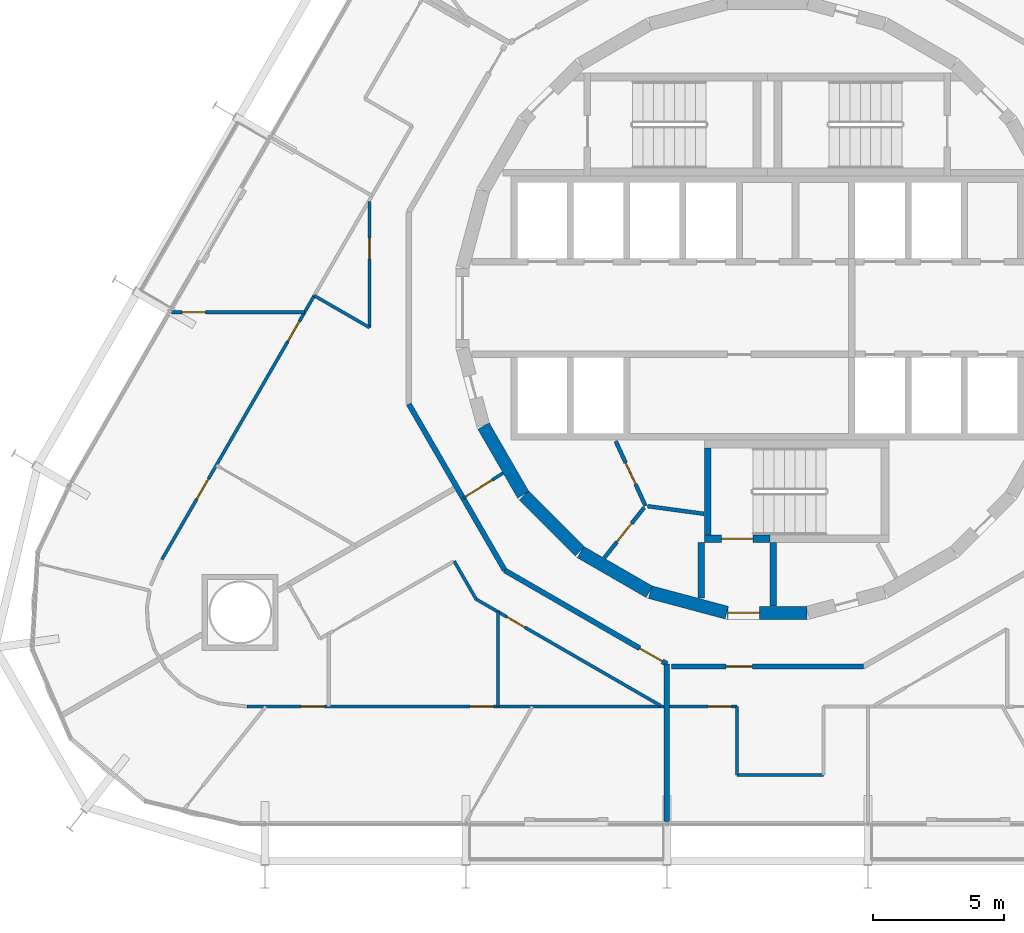
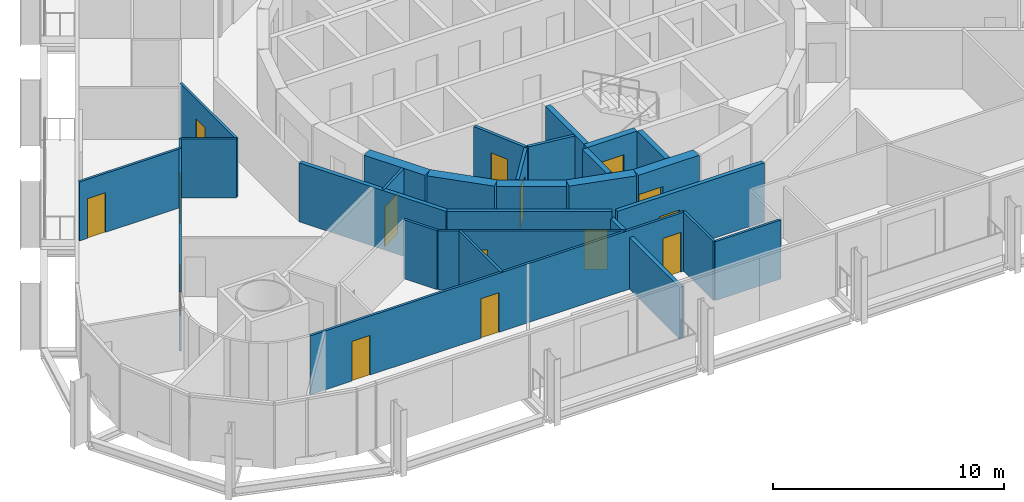
# One storey, part 13 of 19: 27 walls, 15 doors, 15 openings.
"""IFC4 building model written with IfcOpenShell, lengths in metres."""

from ifc_helpers import new_model, si_unit, direction, frame, frame_2d, origin, place, context, subcontext, project, spatial, rectangle, extrude, material, layer, layer_set, type_object, element, fill, save


model = new_model("IFC4")

# Units and contexts
model_context = context("Model", 3, precision=1e-05, world=origin(), true_north=direction((0.0, 1.0)))
body_context = subcontext(model_context, "Body", "Model", "MODEL_VIEW")
ifc_project = project(units=[si_unit("LENGTHUNIT", "METRE"), si_unit("AREAUNIT", "SQUARE_METRE"), si_unit("VOLUMEUNIT", "CUBIC_METRE"), si_unit("PLANEANGLEUNIT", "RADIAN"), si_unit("MASSUNIT", "GRAM", prefix="KILO")], contexts=[model_context])

# Site, building, storey
site_placement = place(None, origin())
site = spatial("IfcSite", under=ifc_project, at=site_placement, CompositionType="ELEMENT")
building_placement = place(site_placement, origin())
building = spatial("IfcBuilding", under=site, at=building_placement, Name="Spindle Arch Residences", CompositionType="ELEMENT")
storey_placement = place(building_placement, frame((0.0, 0.0, 45.39990234375)))
storey = spatial("IfcBuildingStorey", under=building, at=storey_placement, Name="L09", CompositionType="ELEMENT", Elevation=45.39990234375)

# Walls
ifc_material_1 = material(Name="Concrete C50/60", Category="concrete")
ifc_layer_1 = layer(ifc_material_1, 0.5)
ifc_layer_set_1 = layer_set([ifc_layer_1], Name="Core outline wall 500")
wall_type_1 = type_object("IfcWallType", Name="Core outline wall 500", PredefinedType="SHEAR", material=ifc_layer_set_1)
wall_1_placement = place(storey_placement, frame((-10.84521484375, -4.510498046875, 0.0), z_axis=(0.0, 0.0, 1.0), x_axis=(0.500087131594, -0.865975092491, 0.0)))
element("IfcWall", 1, at=wall_1_placement, inside=storey, type_object=wall_type_1, Name="Core outline wall 20", PredefinedType="SHEAR", context=body_context, shape_type="SweptSolid", body=[
    extrude(rectangle(XDim=3.03271484375, YDim=0.5, at=frame_2d((1.516357421875, 0.0))), origin(), (0.0, 0.0, 1.0), 3.1201171875),
])
wall_2_placement = place(storey_placement, frame((-9.30810546875, -7.163818359375, 0.0), z_axis=(0.0, 0.0, 1.0), x_axis=(0.707106781187, -0.707106781187, 0.0)))
element("IfcWall", 2, at=wall_2_placement, inside=storey, type_object=wall_type_1, Name="Core outline wall 21", PredefinedType="SHEAR", context=body_context, shape_type="SweptSolid", body=[
    extrude(rectangle(XDim=3.032470703125, YDim=0.5, at=frame_2d((1.51611328125, 0.0))), origin(), (0.0, 0.0, 1.0), 3.1201171875),
])
for number, where, z_axis, x_axis, name in (
    (3, (-7.13671875, -9.32861328125, 0.0), (0.0, 0.0, 1.0), (0.865975092491, -0.500087131594, 0.0), "Core outline wall 22"),
    (4, (-4.479248046875, -10.858154296875, 0.0), (0.0, 0.0, 1.0), (0.965948410781, -0.258734743916, 0.0), "Core outline wall 23"),
):
    element("IfcWall", number, at=place(storey_placement, frame(where, z_axis=z_axis, x_axis=x_axis)), inside=storey, type_object=wall_type_1, Name=name, PredefinedType="SHEAR", context=body_context, shape_type="SweptSolid", body=[
        extrude(rectangle(XDim=3.03271484375, YDim=0.5, at=frame_2d((1.516357421875, 0.0))), origin(), (0.0, 0.0, 1.0), 3.1201171875),
    ])

# Wall, opening, door
wall_3_placement = place(storey_placement, frame((-1.516357421875, -11.647216796875, 0.0), z_axis=(0.0, 0.0, 1.0), x_axis=(1.0, 0.0, 0.0)))
wall_3 = element("IfcWall", 5, at=wall_3_placement, inside=storey, type_object=wall_type_1, Name="Core outline wall 24", PredefinedType="SHEAR", context=body_context, shape_type="SweptSolid", body=[
    extrude(rectangle(XDim=3.03271484375, YDim=0.5, at=frame_2d((1.516357421875, 0.0))), origin(), (0.0, 0.0, 1.0), 3.1201171875),
])
opening_1_placement = place(wall_3_placement, frame((0.016357421875, 0.0, 0.0)))
opening_1 = element("IfcOpeningElement", 6, at=opening_1_placement, cuts=wall_3, Name="Opening R1A0-AD03", PredefinedType="OPENING", context=body_context, shape_type="SweptSolid", body=[
    extrude(rectangle(XDim=1.199951171875, YDim=2.10009765625, at=frame_2d((0.60009765625, 1.050048828125))), frame((0.0, 0.260009765625, 0.0), z_axis=(0.0, -1.0, 0.0), x_axis=(1.0, 0.0, 0.0)), (0.0, 0.0, 1.0), 0.52001953125),
])
ifc_material_2 = material(Name="Steel, fire-resisting door", Category="steel")
door_type_1 = type_object("IfcDoorType", Name="Stair airlock door 1200x2100", OperationType="SINGLE_SWING_LEFT", PredefinedType="DOOR", material=ifc_material_2)
door_1_placement = place(opening_1_placement, origin())
door_1 = element("IfcDoor", 7, at=door_1_placement, inside=storey, type_object=door_type_1, Name="Stair airlock door R1A0-AD03", OperationType="SINGLE_SWING_RIGHT", OverallHeight=2.10009765625, OverallWidth=1.199951171875, PredefinedType="DOOR", context=body_context, shape_type="SweptSolid", body=[
    extrude(rectangle(XDim=1.199951171875, YDim=2.10009765625, at=frame_2d((0.60009765625, 1.050048828125))), frame((0.0, 0.02490234375, 0.0), z_axis=(0.0, -1.0, 0.0), x_axis=(1.0, 0.0, 0.0)), (0.0, 0.0, 1.0), 0.050048828125),
])
fill(opening_1, door_1)

ifc_material_3 = material(Name="Plasterboard on steel studs", Category="steel")
ifc_layer_2 = layer(ifc_material_3, 0.1201171875)
ifc_layer_set_2 = layer_set([ifc_layer_2], Name="Corridor division wall 120")
wall_type_2 = type_object("IfcWallType", Name="Corridor division wall 120", PredefinedType="PARTITIONING", material=ifc_layer_set_2)
wall_4_placement = place(storey_placement, frame((-11.625244140625, -7.264404296875, 0.0), z_axis=(0.0, 0.0, 1.0), x_axis=(0.84803632456, 0.529938102259, 0.0)))
wall_4 = element("IfcWall", 8, at=wall_4_placement, inside=storey, type_object=wall_type_2, Name="Corridor division wall R1A0-W003", PredefinedType="PARTITIONING", context=body_context, shape_type="SweptSolid", body=[
    extrude(rectangle(XDim=1.8037109375, YDim=0.1201171875, at=frame_2d((0.90185546875, 0.0))), origin(), (0.0, 0.0, 1.0), 3.1201171875),
])
opening_2_placement = place(wall_4_placement, frame((0.110107421875, 0.0, 0.0)))
opening_2 = element("IfcOpeningElement", 9, at=opening_2_placement, cuts=wall_4, Name="Opening R1A0-CD03", PredefinedType="OPENING", context=body_context, shape_type="SweptSolid", body=[
    extrude(rectangle(XDim=1.199951171875, YDim=2.10009765625, at=frame_2d((0.60009765625, 1.050048828125))), frame((0.0, 0.070068359375, 0.0), z_axis=(0.0, -1.0, 0.0), x_axis=(1.0, 0.0, 0.0)), (0.0, 0.0, 1.0), 0.14013671875),
])
ifc_material_4 = material(Name="Steel, fire-resisting door", Category="steel")
door_type_2 = type_object("IfcDoorType", Name="Corridor division door 1200x2100", OperationType="NOTDEFINED", PredefinedType="DOOR", material=ifc_material_4)
door_2_placement = place(opening_2_placement, origin())
door_2 = element("IfcDoor", 10, at=door_2_placement, inside=storey, type_object=door_type_2, Name="Corridor division door R1A0-CD03", OperationType="DOUBLE_DOOR_SINGLE_SWING", OverallHeight=2.10009765625, OverallWidth=1.199951171875, PredefinedType="DOOR", context=body_context, shape_type="SweptSolid", body=[
    extrude(rectangle(XDim=1.199951171875, YDim=2.10009765625, at=frame_2d((0.60009765625, 1.050048828125))), frame((0.0, 0.02490234375, 0.0), z_axis=(0.0, -1.0, 0.0), x_axis=(1.0, 0.0, 0.0)), (0.0, 0.0, 1.0), 0.050048828125),
])
fill(opening_2, door_2)

# Wall
ifc_material_5 = material(Name="Calcium silicate block, plastered")
ifc_layer_3 = layer(ifc_material_5, 0.199951171875)
ifc_layer_set_3 = layer_set([ifc_layer_3], Name="Corridor wall 200")
wall_type_3 = type_object("IfcWallType", Name="Corridor wall 200", PredefinedType="STANDARD", material=ifc_layer_set_3)
wall_5_placement = place(storey_placement, frame((-13.699951171875, -3.6708984375, 0.0), z_axis=(0.0, 0.0, 1.0), x_axis=(0.500001669485, -0.866024439905, 0.0)))
element("IfcWall", 11, at=wall_5_placement, inside=storey, type_object=wall_type_3, Name="Corridor wall R1A0-W012", PredefinedType="STANDARD", context=body_context, shape_type="SweptSolid", body=[
    extrude(rectangle(XDim=7.341796875, YDim=0.199951171875, at=frame_2d((3.6708984375, 0.0))), origin(), (0.0, 0.0, 1.0), 3.1201171875),
])

# Wall, opening, door
wall_6_placement = place(storey_placement, frame((-10.029052734375, -10.029052734375, 0.0), z_axis=(0.0, 0.0, 1.0), x_axis=(0.866022878987, -0.500004373052, 0.0)))
wall_6 = element("IfcWall", 12, at=wall_6_placement, inside=storey, type_object=wall_type_3, Name="Corridor wall R1A0-W013", PredefinedType="STANDARD", context=body_context, shape_type="SweptSolid", body=[
    extrude(rectangle(XDim=7.146484375, YDim=0.199951171875, at=frame_2d((3.5732421875, 0.0))), origin(), (0.0, 0.0, 1.0), 3.1201171875),
])
opening_3_placement = place(wall_6_placement, frame((5.946533203125, 0.0, 0.0)))
opening_3 = element("IfcOpeningElement", 13, at=opening_3_placement, cuts=wall_6, Name="Opening R1A0-FD04", PredefinedType="OPENING", context=body_context, shape_type="SweptSolid", body=[
    extrude(rectangle(XDim=1.0, YDim=2.10009765625, at=frame_2d((0.5, 1.050048828125))), frame((0.0, 0.10986328125, 0.0), z_axis=(0.0, -1.0, 0.0), x_axis=(1.0, 0.0, 0.0)), (0.0, 0.0, 1.0), 0.219970703125),
])
ifc_material_6 = material(Name="Timber, fire-resisting door set", Category="wood")
door_type_3 = type_object("IfcDoorType", Name="Flat entrance door 1000x2100", OperationType="NOTDEFINED", PredefinedType="DOOR", material=ifc_material_6)
door_3_placement = place(opening_3_placement, origin())
door_3 = element("IfcDoor", 14, at=door_3_placement, inside=storey, type_object=door_type_3, Name="Flat entrance door R1A0-FD04", OperationType="SINGLE_SWING_LEFT", OverallHeight=2.10009765625, OverallWidth=1.0, PredefinedType="DOOR", context=body_context, shape_type="SweptSolid", body=[
    extrude(rectangle(XDim=1.0, YDim=2.10009765625, at=frame_2d((0.5, 1.050048828125))), frame((0.0, 0.02490234375, 0.0), z_axis=(0.0, -1.0, 0.0), x_axis=(1.0, 0.0, 0.0)), (0.0, 0.0, 1.0), 0.050048828125),
])
fill(opening_3, door_3)

wall_7_placement = place(storey_placement, frame((-3.6708984375, -13.699951171875, 0.0), z_axis=(0.0, 0.0, 1.0), x_axis=(1.0, 0.0, 0.0)))
wall_7 = element("IfcWall", 15, at=wall_7_placement, inside=storey, type_object=wall_type_3, Name="Corridor wall R1A0-W014", PredefinedType="STANDARD", context=body_context, shape_type="SweptSolid", body=[
    extrude(rectangle(XDim=7.341796875, YDim=0.199951171875, at=frame_2d((3.6708984375, 0.0))), origin(), (0.0, 0.0, 1.0), 3.1201171875),
])
opening_4_placement = place(wall_7_placement, frame((2.10009765625, 0.0, 0.0)))
opening_4 = element("IfcOpeningElement", 16, at=opening_4_placement, cuts=wall_7, Name="Opening R1A0-FD05", PredefinedType="OPENING", context=body_context, shape_type="SweptSolid", body=[
    extrude(rectangle(XDim=1.0, YDim=2.10009765625, at=frame_2d((0.5, 1.050048828125))), frame((0.0, 0.10986328125, 0.0), z_axis=(0.0, -1.0, 0.0), x_axis=(1.0, 0.0, 0.0)), (0.0, 0.0, 1.0), 0.219970703125),
])
door_4_placement = place(opening_4_placement, origin())
door_4 = element("IfcDoor", 17, at=door_4_placement, inside=storey, type_object=door_type_3, Name="Flat entrance door R1A0-FD05", OperationType="SINGLE_SWING_LEFT", OverallHeight=2.10009765625, OverallWidth=1.0, PredefinedType="DOOR", context=body_context, shape_type="SweptSolid", body=[
    extrude(rectangle(XDim=1.0, YDim=2.10009765625, at=frame_2d((0.5, 1.050048828125))), frame((0.0, 0.02490234375, 0.0), z_axis=(0.0, -1.0, 0.0), x_axis=(1.0, 0.0, 0.0)), (0.0, 0.0, 1.0), 0.050048828125),
])
fill(opening_4, door_4)

# Wall, openings, doors
ifc_material_7 = material(Name="Plasterboard on steel studs", Category="steel")
ifc_layer_4 = layer(ifc_material_7, 0.1201171875)
ifc_layer_set_4 = layer_set([ifc_layer_4], Name="Flat partition 120")
wall_type_4 = type_object("IfcWallType", Name="Flat partition 120", PredefinedType="PARTITIONING", material=ifc_layer_set_4)
wall_8_placement = place(storey_placement, frame((-17.3134765625, 0.471923828125, 0.0), z_axis=(0.0, 0.0, 1.0), x_axis=(-0.499999047218, -0.866025953873, 0.0)))
wall_8 = element("IfcWall", 18, at=wall_8_placement, inside=storey, type_object=wall_type_4, Name="Flat partition R1A0-W060", PredefinedType="PARTITIONING", context=body_context, shape_type="SweptSolid", body=[
    extrude(rectangle(XDim=11.63916015625, YDim=0.1201171875, at=frame_2d((5.819580078125, 0.0))), origin(), (0.0, 0.0, 1.0), 3.1201171875),
])
opening_5_placement = place(wall_8_placement, frame((1.131591796875, 0.0, 0.0)))
opening_5 = element("IfcOpeningElement", 19, at=opening_5_placement, cuts=wall_8, Name="Opening R1A0-ID13", PredefinedType="OPENING", context=body_context, shape_type="SweptSolid", body=[
    extrude(rectangle(XDim=0.89990234375, YDim=2.10009765625, at=frame_2d((0.449951171875, 1.050048828125))), frame((0.0, 0.070068359375, 0.0), z_axis=(0.0, -1.0, 0.0), x_axis=(1.0, 0.0, 0.0)), (0.0, 0.0, 1.0), 0.14013671875),
])
opening_6_placement = place(wall_8_placement, frame((8.0830078125, 0.0, 0.0)))
opening_6 = element("IfcOpeningElement", 20, at=opening_6_placement, cuts=wall_8, Name="Opening R1A0-ID17", PredefinedType="OPENING", context=body_context, shape_type="SweptSolid", body=[
    extrude(rectangle(XDim=0.89990234375, YDim=2.10009765625, at=frame_2d((0.449951171875, 1.050048828125))), frame((0.0, 0.070068359375, 0.0), z_axis=(0.0, -1.0, 0.0), x_axis=(1.0, 0.0, 0.0)), (0.0, 0.0, 1.0), 0.14013671875),
])
ifc_material_8 = material(Name="Timber door set", Category="wood")
door_type_4 = type_object("IfcDoorType", Name="Room door 900x2100", OperationType="NOTDEFINED", PredefinedType="DOOR", material=ifc_material_8)
door_5_placement = place(opening_5_placement, origin())
door_5 = element("IfcDoor", 21, at=door_5_placement, inside=storey, type_object=door_type_4, Name="Room door R1A0-ID13", OperationType="SINGLE_SWING_RIGHT", OverallHeight=2.10009765625, OverallWidth=0.89990234375, PredefinedType="DOOR", context=body_context, shape_type="SweptSolid", body=[
    extrude(rectangle(XDim=0.89990234375, YDim=2.10009765625, at=frame_2d((0.449951171875, 1.050048828125))), frame((0.0, 0.02490234375, 0.0), z_axis=(0.0, -1.0, 0.0), x_axis=(1.0, 0.0, 0.0)), (0.0, 0.0, 1.0), 0.050048828125),
])
fill(opening_5, door_5)
door_6_placement = place(opening_6_placement, origin())
door_6 = element("IfcDoor", 22, at=door_6_placement, inside=storey, type_object=door_type_4, Name="Room door R1A0-ID17", OperationType="SINGLE_SWING_LEFT", OverallHeight=2.10009765625, OverallWidth=0.89990234375, PredefinedType="DOOR", context=body_context, shape_type="SweptSolid", body=[
    extrude(rectangle(XDim=0.89990234375, YDim=2.10009765625, at=frame_2d((0.449951171875, 1.050048828125))), frame((0.0, 0.02490234375, 0.0), z_axis=(0.0, -1.0, 0.0), x_axis=(1.0, 0.0, 0.0)), (0.0, 0.0, 1.0), 0.050048828125),
])
fill(opening_6, door_6)

# Wall, opening, door
wall_9_placement = place(storey_placement, frame((-15.199951171875, 4.07275390625, 0.0), z_axis=(0.0, 0.0, 1.0), x_axis=(0.0, -1.0, 0.0)))
wall_9 = element("IfcWall", 23, at=wall_9_placement, inside=storey, type_object=wall_type_4, Name="Flat partition R1A0-W061", PredefinedType="PARTITIONING", context=body_context, shape_type="SweptSolid", body=[
    extrude(rectangle(XDim=4.821044921875, YDim=0.1201171875, at=frame_2d((2.41064453125, 0.0))), origin(), (0.0, 0.0, 1.0), 3.1201171875),
])
opening_7_placement = place(wall_9_placement, frame((1.39990234375, 0.0, 0.0)))
opening_7 = element("IfcOpeningElement", 24, at=opening_7_placement, cuts=wall_9, Name="Opening R1A0-BD04", PredefinedType="OPENING", context=body_context, shape_type="SweptSolid", body=[
    extrude(rectangle(XDim=0.800048828125, YDim=2.10009765625, at=frame_2d((0.39990234375, 1.050048828125))), frame((0.0, 0.070068359375, 0.0), z_axis=(0.0, -1.0, 0.0), x_axis=(1.0, 0.0, 0.0)), (0.0, 0.0, 1.0), 0.14013671875),
])
ifc_material_9 = material(Name="Timber door set", Category="wood")
door_type_5 = type_object("IfcDoorType", Name="Bathroom door 800x2100", OperationType="NOTDEFINED", PredefinedType="DOOR", material=ifc_material_9)
door_7_placement = place(opening_7_placement, origin())
door_7 = element("IfcDoor", 25, at=door_7_placement, inside=storey, type_object=door_type_5, Name="Bathroom door R1A0-BD04", OperationType="SINGLE_SWING_RIGHT", OverallHeight=2.10009765625, OverallWidth=0.800048828125, PredefinedType="DOOR", context=body_context, shape_type="SweptSolid", body=[
    extrude(rectangle(XDim=0.800048828125, YDim=2.10009765625, at=frame_2d((0.39990234375, 1.050048828125))), frame((0.0, 0.02490234375, 0.0), z_axis=(0.0, -1.0, 0.0), x_axis=(1.0, 0.0, 0.0)), (0.0, 0.0, 1.0), 0.050048828125),
])
fill(opening_7, door_7)

# Wall
wall_10_placement = place(storey_placement, frame((-15.199951171875, -0.748291015625, 0.0), z_axis=(0.0, 0.0, 1.0), x_axis=(-0.866030657337, 0.49999090047, 0.0)))
element("IfcWall", 26, at=wall_10_placement, inside=storey, type_object=wall_type_4, Name="Flat partition R1A0-W062", PredefinedType="PARTITIONING", context=body_context, shape_type="SweptSolid", body=[
    extrude(rectangle(XDim=2.4404296875, YDim=0.1201171875, at=frame_2d((1.22021484375, 0.0))), origin(), (0.0, 0.0, 1.0), 3.1201171875),
])

# Wall, opening, door
wall_11_placement = place(storey_placement, frame((-22.760009765625, -0.161865234375, 0.0), z_axis=(0.0, 0.0, 1.0), x_axis=(1.0, 0.0, 0.0)))
wall_11 = element("IfcWall", 27, at=wall_11_placement, inside=storey, type_object=wall_type_4, Name="Flat partition R1A0-W065", PredefinedType="PARTITIONING", context=body_context, shape_type="SweptSolid", body=[
    extrude(rectangle(XDim=5.08056640625, YDim=0.1201171875, at=frame_2d((2.540283203125, 0.0))), origin(), (0.0, 0.0, 1.0), 3.1201171875),
])
opening_8_placement = place(wall_11_placement, frame((0.39990234375, 0.0, 0.0)))
opening_8 = element("IfcOpeningElement", 28, at=opening_8_placement, cuts=wall_11, Name="Opening R1A0-ID15", PredefinedType="OPENING", context=body_context, shape_type="SweptSolid", body=[
    extrude(rectangle(XDim=0.89990234375, YDim=2.10009765625, at=frame_2d((0.449951171875, 1.050048828125))), frame((0.0, 0.070068359375, 0.0), z_axis=(0.0, -1.0, 0.0), x_axis=(1.0, 0.0, 0.0)), (0.0, 0.0, 1.0), 0.14013671875),
])
door_8_placement = place(opening_8_placement, origin())
door_8 = element("IfcDoor", 29, at=door_8_placement, inside=storey, type_object=door_type_4, Name="Room door R1A0-ID15", OperationType="SINGLE_SWING_LEFT", OverallHeight=2.10009765625, OverallWidth=0.89990234375, PredefinedType="DOOR", context=body_context, shape_type="SweptSolid", body=[
    extrude(rectangle(XDim=0.89990234375, YDim=2.10009765625, at=frame_2d((0.449951171875, 1.050048828125))), frame((0.0, 0.02490234375, 0.0), z_axis=(0.0, -1.0, 0.0), x_axis=(1.0, 0.0, 0.0)), (0.0, 0.0, 1.0), 0.050048828125),
])
fill(opening_8, door_8)

# Wall
wall_12_placement = place(storey_placement, frame((-11.964599609375, -9.676513671875, 0.0), z_axis=(0.0, 0.0, 1.0), x_axis=(0.499932737185, -0.866064234506, 0.0)))
element("IfcWall", 30, at=wall_12_placement, inside=storey, type_object=wall_type_4, Name="Flat partition R1A0-W074", PredefinedType="PARTITIONING", context=body_context, shape_type="SweptSolid", body=[
    extrude(rectangle(XDim=1.675048828125, YDim=0.1201171875, at=frame_2d((0.83740234375, 0.0))), origin(), (0.0, 0.0, 1.0), 3.1201171875),
])

# Wall, opening, door
wall_13_placement = place(storey_placement, frame((-11.127197265625, -11.127197265625, 0.0), z_axis=(0.0, 0.0, 1.0), x_axis=(0.866032360344, -0.499987950692, 0.0)))
wall_13 = element("IfcWall", 31, at=wall_13_placement, inside=storey, type_object=wall_type_4, Name="Flat partition R1A0-W075", PredefinedType="PARTITIONING", context=body_context, shape_type="SweptSolid", body=[
    extrude(rectangle(XDim=8.145751953125, YDim=0.1201171875, at=frame_2d((4.07275390625, 0.0))), origin(), (0.0, 0.0, 1.0), 3.1201171875),
])
opening_9_placement = place(wall_13_placement, frame((1.357177734375, 0.0, 0.0)))
opening_9 = element("IfcOpeningElement", 32, at=opening_9_placement, cuts=wall_13, Name="Opening R1A0-BD05", PredefinedType="OPENING", context=body_context, shape_type="SweptSolid", body=[
    extrude(rectangle(XDim=0.800048828125, YDim=2.10009765625, at=frame_2d((0.39990234375, 1.050048828125))), frame((0.0, 0.070068359375, 0.0), z_axis=(0.0, -1.0, 0.0), x_axis=(1.0, 0.0, 0.0)), (0.0, 0.0, 1.0), 0.14013671875),
])
door_9_placement = place(opening_9_placement, origin())
door_9 = element("IfcDoor", 33, at=door_9_placement, inside=storey, type_object=door_type_5, Name="Bathroom door R1A0-BD05", OperationType="SINGLE_SWING_LEFT", OverallHeight=2.10009765625, OverallWidth=0.800048828125, PredefinedType="DOOR", context=body_context, shape_type="SweptSolid", body=[
    extrude(rectangle(XDim=0.800048828125, YDim=2.10009765625, at=frame_2d((0.39990234375, 1.050048828125))), frame((0.0, 0.02490234375, 0.0), z_axis=(0.0, -1.0, 0.0), x_axis=(1.0, 0.0, 0.0)), (0.0, 0.0, 1.0), 0.050048828125),
])
fill(opening_9, door_9)

# Wall, openings, doors
wall_14_placement = place(storey_placement, frame((-1.161376953125, -15.22998046875, 0.0), z_axis=(0.0, 0.0, 1.0), x_axis=(-1.0, 0.0, 0.0)))
wall_14 = element("IfcWall", 34, at=wall_14_placement, inside=storey, type_object=wall_type_4, Name="Flat partition R1A0-W076", PredefinedType="PARTITIONING", context=body_context, shape_type="SweptSolid", body=[
    extrude(rectangle(XDim=18.72607421875, YDim=0.1201171875, at=frame_2d((9.363037109375, 0.0))), origin(), (0.0, 0.0, 1.0), 3.1201171875),
])
opening_10_placement = place(wall_14_placement, frame((9.296875, 0.0, 0.0)))
opening_10 = element("IfcOpeningElement", 35, at=opening_10_placement, cuts=wall_14, Name="Opening R1A0-ID20", PredefinedType="OPENING", context=body_context, shape_type="SweptSolid", body=[
    extrude(rectangle(XDim=0.89990234375, YDim=2.10009765625, at=frame_2d((0.449951171875, 1.050048828125))), frame((0.0, 0.070068359375, 0.0), z_axis=(0.0, -1.0, 0.0), x_axis=(1.0, 0.0, 0.0)), (0.0, 0.0, 1.0), 0.14013671875),
])
opening_11_placement = place(wall_14_placement, frame((15.7548828125, 0.0, 0.0)))
opening_11 = element("IfcOpeningElement", 36, at=opening_11_placement, cuts=wall_14, Name="Opening R1A0-ID23", PredefinedType="OPENING", context=body_context, shape_type="SweptSolid", body=[
    extrude(rectangle(XDim=0.89990234375, YDim=2.10009765625, at=frame_2d((0.449951171875, 1.050048828125))), frame((0.0, 0.070068359375, 0.0), z_axis=(0.0, -1.0, 0.0), x_axis=(1.0, 0.0, 0.0)), (0.0, 0.0, 1.0), 0.14013671875),
])
opening_12_placement = place(wall_14_placement, frame((0.199951171875, 0.0, 0.0)))
opening_12 = element("IfcOpeningElement", 37, at=opening_12_placement, cuts=wall_14, Name="Opening R1A0-ID24", PredefinedType="OPENING", context=body_context, shape_type="SweptSolid", body=[
    extrude(rectangle(XDim=0.89990234375, YDim=2.10009765625, at=frame_2d((0.449951171875, 1.050048828125))), frame((0.0, 0.070068359375, 0.0), z_axis=(0.0, -1.0, 0.0), x_axis=(1.0, 0.0, 0.0)), (0.0, 0.0, 1.0), 0.14013671875),
])
door_10_placement = place(opening_10_placement, origin())
door_10 = element("IfcDoor", 38, at=door_10_placement, inside=storey, type_object=door_type_4, Name="Room door R1A0-ID20", OperationType="SINGLE_SWING_LEFT", OverallHeight=2.10009765625, OverallWidth=0.89990234375, PredefinedType="DOOR", context=body_context, shape_type="SweptSolid", body=[
    extrude(rectangle(XDim=0.89990234375, YDim=2.10009765625, at=frame_2d((0.449951171875, 1.050048828125))), frame((0.0, 0.02490234375, 0.0), z_axis=(0.0, -1.0, 0.0), x_axis=(1.0, 0.0, 0.0)), (0.0, 0.0, 1.0), 0.050048828125),
])
fill(opening_10, door_10)
door_11_placement = place(opening_11_placement, origin())
door_11 = element("IfcDoor", 39, at=door_11_placement, inside=storey, type_object=door_type_4, Name="Room door R1A0-ID23", OperationType="SINGLE_SWING_RIGHT", OverallHeight=2.10009765625, OverallWidth=0.89990234375, PredefinedType="DOOR", context=body_context, shape_type="SweptSolid", body=[
    extrude(rectangle(XDim=0.89990234375, YDim=2.10009765625, at=frame_2d((0.449951171875, 1.050048828125))), frame((0.0, 0.02490234375, 0.0), z_axis=(0.0, -1.0, 0.0), x_axis=(1.0, 0.0, 0.0)), (0.0, 0.0, 1.0), 0.050048828125),
])
fill(opening_11, door_11)
door_12_placement = place(opening_12_placement, origin())
door_12 = element("IfcDoor", 40, at=door_12_placement, inside=storey, type_object=door_type_4, Name="Room door R1A0-ID24", OperationType="SINGLE_SWING_LEFT", OverallHeight=2.10009765625, OverallWidth=0.89990234375, PredefinedType="DOOR", context=body_context, shape_type="SweptSolid", body=[
    extrude(rectangle(XDim=0.89990234375, YDim=2.10009765625, at=frame_2d((0.449951171875, 1.050048828125))), frame((0.0, 0.02490234375, 0.0), z_axis=(0.0, -1.0, 0.0), x_axis=(1.0, 0.0, 0.0)), (0.0, 0.0, 1.0), 0.050048828125),
])
fill(opening_12, door_12)

# Walls
wall_15_placement = place(storey_placement, frame((-10.298095703125, -15.22998046875, 0.0), z_axis=(0.0, 0.0, 1.0), x_axis=(0.0, 1.0, 0.0)))
element("IfcWall", 41, at=wall_15_placement, inside=storey, type_object=wall_type_4, Name="Flat partition R1A0-W083", PredefinedType="PARTITIONING", context=body_context, shape_type="SweptSolid", body=[
    extrude(rectangle(XDim=3.624267578125, YDim=0.1201171875, at=frame_2d((1.81201171875, 0.0))), origin(), (0.0, 0.0, 1.0), 3.1201171875),
])
wall_16_placement = place(storey_placement, frame((-1.161376953125, -15.22998046875, 0.0), z_axis=(0.0, 0.0, 1.0), x_axis=(0.0, -1.0, 0.0)))
element("IfcWall", 42, at=wall_16_placement, inside=storey, type_object=wall_type_4, Name="Flat partition R1A0-W085", PredefinedType="PARTITIONING", context=body_context, shape_type="SweptSolid", body=[
    extrude(rectangle(XDim=2.614990234375, YDim=0.1201171875, at=frame_2d((1.3076171875, 0.0))), origin(), (0.0, 0.0, 1.0), 3.1201171875),
])
wall_17_placement = place(storey_placement, frame((-1.161376953125, -17.844970703125, 0.0), z_axis=(0.0, 0.0, 1.0), x_axis=(1.0, 0.0, 0.0)))
element("IfcWall", 43, at=wall_17_placement, inside=storey, type_object=wall_type_4, Name="Flat partition R1A0-W086", PredefinedType="PARTITIONING", context=body_context, shape_type="SweptSolid", body=[
    extrude(rectangle(XDim=3.300048828125, YDim=0.1201171875, at=frame_2d((1.64990234375, 0.0))), origin(), (0.0, 0.0, 1.0), 3.1201171875),
])
ifc_material_10 = material(Name="Calcium silicate block, plastered")
ifc_layer_5 = layer(ifc_material_10, 0.199951171875)
ifc_layer_set_5 = layer_set([ifc_layer_5], Name="Flat party wall 200 under beam 2730")
wall_type_5 = type_object("IfcWallType", Name="Flat party wall 200 under beam 2730", PredefinedType="STANDARD", material=ifc_layer_set_5)
wall_18_placement = place(storey_placement, frame((-3.840087890625, -19.6298828125, 0.0), z_axis=(0.0, 0.0, 1.0), x_axis=(0.0, 1.0, 0.0)))
element("IfcWall", 44, at=wall_18_placement, inside=storey, type_object=wall_type_5, Name="Flat party wall R1A0-W024", PredefinedType="STANDARD", context=body_context, shape_type="SweptSolid", body=[
    extrude(rectangle(XDim=6.027587890625, YDim=0.199951171875, at=frame_2d((3.013671875, 0.0))), origin(), (0.0, 0.0, 1.0), 2.72998046875),
])

# Wall, opening, door
ifc_material_11 = material(Name="Concrete C25/30", Category="concrete")
ifc_layer_6 = layer(ifc_material_11, 0.14990234375)
ifc_layer_set_6 = layer_set([ifc_layer_6], Name="Service room partition 150")
wall_type_6 = type_object("IfcWallType", Name="Service room partition 150", PredefinedType="PARTITIONING", material=ifc_layer_set_6)
wall_19_placement = place(storey_placement, frame((-5.794921875, -5.086181640625, 0.0), z_axis=(0.0, 0.0, 1.0), x_axis=(0.417887867606, -0.908498613157, 0.0)))
wall_19 = element("IfcWall", 45, at=wall_19_placement, inside=storey, type_object=wall_type_6, Name="Core service room partition", PredefinedType="PARTITIONING", context=body_context, shape_type="SweptSolid", body=[
    extrude(rectangle(XDim=2.72607421875, YDim=0.14990234375, at=frame_2d((1.363037109375, 0.0))), origin(), (0.0, 0.0, 1.0), 3.1201171875),
])
opening_13_placement = place(wall_19_placement, frame((0.912841796875, 0.0, 0.0)))
opening_13 = element("IfcOpeningElement", 46, at=opening_13_placement, cuts=wall_19, Name="Opening R1A0-WD05", PredefinedType="OPENING", context=body_context, shape_type="SweptSolid", body=[
    extrude(rectangle(XDim=0.89990234375, YDim=2.10009765625, at=frame_2d((0.449951171875, 1.050048828125))), frame((0.0, 0.0849609375, 0.0), z_axis=(0.0, -1.0, 0.0), x_axis=(1.0, 0.0, 0.0)), (0.0, 0.0, 1.0), 0.169921875),
])
ifc_material_12 = material(Name="Steel, fire-resisting door", Category="steel")
door_type_6 = type_object("IfcDoorType", Name="Service room door 900x2100", OperationType="SINGLE_SWING_LEFT", PredefinedType="DOOR", material=ifc_material_12)
door_13_placement = place(opening_13_placement, origin())
door_13 = element("IfcDoor", 47, at=door_13_placement, inside=storey, type_object=door_type_6, Name="Service room door R1A0-WD05", OperationType="SINGLE_SWING_RIGHT", OverallHeight=2.10009765625, OverallWidth=0.89990234375, PredefinedType="DOOR", context=body_context, shape_type="SweptSolid", body=[
    extrude(rectangle(XDim=0.89990234375, YDim=2.10009765625, at=frame_2d((0.449951171875, 1.050048828125))), frame((0.0, 0.02490234375, 0.0), z_axis=(0.0, -1.0, 0.0), x_axis=(1.0, 0.0, 0.0)), (0.0, 0.0, 1.0), 0.050048828125),
])
fill(opening_13, door_13)

wall_20_placement = place(storey_placement, frame((-4.70556640625, -7.62548828125, 0.0), z_axis=(0.0, 0.0, 1.0), x_axis=(-0.621392599334, -0.783499353856, 0.0)))
wall_20 = element("IfcWall", 48, at=wall_20_placement, inside=storey, type_object=wall_type_6, Name="Core service room partition", PredefinedType="PARTITIONING", context=body_context, shape_type="SweptSolid", body=[
    extrude(rectangle(XDim=2.447265625, YDim=0.14990234375, at=frame_2d((1.2236328125, 0.0))), origin(), (0.0, 0.0, 1.0), 3.1201171875),
])
opening_14_placement = place(wall_20_placement, frame((0.773681640625, 0.0, 0.0)))
opening_14 = element("IfcOpeningElement", 49, at=opening_14_placement, cuts=wall_20, Name="Opening R1A0-WD06", PredefinedType="OPENING", context=body_context, shape_type="SweptSolid", body=[
    extrude(rectangle(XDim=0.89990234375, YDim=2.10009765625, at=frame_2d((0.449951171875, 1.050048828125))), frame((0.0, 0.0849609375, 0.0), z_axis=(0.0, -1.0, 0.0), x_axis=(1.0, 0.0, 0.0)), (0.0, 0.0, 1.0), 0.169921875),
])
door_14_placement = place(opening_14_placement, origin())
door_14 = element("IfcDoor", 50, at=door_14_placement, inside=storey, type_object=door_type_6, Name="Service room door R1A0-WD06", OperationType="SINGLE_SWING_LEFT", OverallHeight=2.10009765625, OverallWidth=0.89990234375, PredefinedType="DOOR", context=body_context, shape_type="SweptSolid", body=[
    extrude(rectangle(XDim=0.89990234375, YDim=2.10009765625, at=frame_2d((0.449951171875, 1.050048828125))), frame((0.0, 0.02490234375, 0.0), z_axis=(0.0, -1.0, 0.0), x_axis=(1.0, 0.0, 0.0)), (0.0, 0.0, 1.0), 0.050048828125),
])
fill(opening_14, door_14)

# Walls
wall_21_placement = place(storey_placement, frame((-2.419921875, -7.865234375, 0.0), z_axis=(0.0, 0.0, 1.0), x_axis=(-0.990972299108, 0.134066783362, 0.0)))
element("IfcWall", 51, at=wall_21_placement, inside=storey, type_object=wall_type_6, Name="Core service room partition", PredefinedType="PARTITIONING", context=body_context, shape_type="SweptSolid", body=[
    extrude(rectangle(XDim=2.176025390625, YDim=0.14990234375, at=frame_2d((1.087890625, 0.0))), origin(), (0.0, 0.0, 1.0), 3.1201171875),
])
ifc_material_13 = material(Name="Concrete C40/50", Category="concrete")
ifc_layer_7 = layer(ifc_material_13, 0.25)
ifc_layer_set_7 = layer_set([ifc_layer_7], Name="Stair airlock wall 250")
wall_type_7 = type_object("IfcWallType", Name="Stair airlock wall 250", PredefinedType="SHEAR", material=ifc_layer_set_7)
wall_22_placement = place(storey_placement, frame((-2.52490234375, -8.969970703125, 0.0), z_axis=(0.0, 0.0, 1.0), x_axis=(0.0, -1.0, 0.0)))
element("IfcWall", 52, at=wall_22_placement, inside=storey, type_object=wall_type_7, Name="Stair ST-3 airlock wall W", PredefinedType="SHEAR", context=body_context, shape_type="SweptSolid", body=[
    extrude(rectangle(XDim=2.110107421875, YDim=0.25, at=frame_2d((1.05517578125, 0.0))), origin(), (0.0, 0.0, 1.0), 3.1201171875),
])
wall_23_placement = place(storey_placement, frame((0.22509765625, -8.969970703125, 0.0), z_axis=(0.0, 0.0, 1.0), x_axis=(0.0, -1.0, 0.0)))
element("IfcWall", 53, at=wall_23_placement, inside=storey, type_object=wall_type_7, Name="Stair ST-3 airlock wall E", PredefinedType="SHEAR", context=body_context, shape_type="SweptSolid", body=[
    extrude(rectangle(XDim=2.409912109375, YDim=0.25, at=frame_2d((1.205078125, 0.0))), origin(), (0.0, 0.0, 1.0), 3.1201171875),
])
ifc_material_14 = material(Name="Concrete C50/60", Category="concrete")
ifc_layer_8 = layer(ifc_material_14, 0.25)
ifc_layer_set_8 = layer_set([ifc_layer_8], Name="Stair enclosure wall 250")
wall_type_8 = type_object("IfcWallType", Name="Stair enclosure wall 250", PredefinedType="SHEAR", material=ifc_layer_set_8)
wall_24_placement = place(storey_placement, frame((-2.27490234375, -8.669921875, 0.0), z_axis=(0.0, 0.0, 1.0), x_axis=(0.0, 1.0, 0.0)))
element("IfcWall", 54, at=wall_24_placement, inside=storey, type_object=wall_type_8, Name="Stair ST-3 enclosure wall W", PredefinedType="SHEAR", context=body_context, shape_type="SweptSolid", body=[
    extrude(rectangle(XDim=3.31982421875, YDim=0.25, at=frame_2d((1.659912109375, 0.0))), origin(), (0.0, 0.0, 1.0), 3.1201171875),
])

# Wall, opening, door
ifc_material_15 = material(Name="Concrete C50/60", Category="concrete")
ifc_layer_9 = layer(ifc_material_15, 0.300048828125)
ifc_layer_set_9 = layer_set([ifc_layer_9], Name="Stair enclosure wall 300")
wall_type_9 = type_object("IfcWallType", Name="Stair enclosure wall 300", PredefinedType="SHEAR", material=ifc_layer_set_9)
wall_25_placement = place(storey_placement, frame((-2.39990234375, -8.820068359375, 0.0), z_axis=(0.0, 0.0, 1.0), x_axis=(1.0, 0.0, 0.0)))
wall_25 = element("IfcWall", 55, at=wall_25_placement, inside=storey, type_object=wall_type_9, Name="Stair ST-3 door wall", PredefinedType="SHEAR", context=body_context, shape_type="SweptSolid", body=[
    extrude(rectangle(XDim=2.5, YDim=0.300048828125, at=frame_2d((1.25, 0.0))), origin(), (0.0, 0.0, 1.0), 3.1201171875),
])
opening_15_placement = place(wall_25_placement, frame((0.64990234375, 0.0, 0.0)))
opening_15 = element("IfcOpeningElement", 56, at=opening_15_placement, cuts=wall_25, Name="Opening R1A0-SD03", PredefinedType="OPENING", context=body_context, shape_type="SweptSolid", body=[
    extrude(rectangle(XDim=1.199951171875, YDim=2.10009765625, at=frame_2d((0.60009765625, 1.050048828125))), frame((0.0, 0.16015625, 0.0), z_axis=(0.0, -1.0, 0.0), x_axis=(1.0, 0.0, 0.0)), (0.0, 0.0, 1.0), 0.320068359375),
])
ifc_material_16 = material(Name="Steel, fire-resisting door", Category="steel")
door_type_7 = type_object("IfcDoorType", Name="Stair door 1200x2100", OperationType="SINGLE_SWING_RIGHT", PredefinedType="DOOR", material=ifc_material_16)
door_15_placement = place(opening_15_placement, origin())
door_15 = element("IfcDoor", 57, at=door_15_placement, inside=storey, type_object=door_type_7, Name="Stair door R1A0-SD03", OperationType="SINGLE_SWING_LEFT", OverallHeight=2.10009765625, OverallWidth=1.199951171875, PredefinedType="DOOR", context=body_context, shape_type="SweptSolid", body=[
    extrude(rectangle(XDim=1.199951171875, YDim=2.10009765625, at=frame_2d((0.60009765625, 1.050048828125))), frame((0.0, 0.02490234375, 0.0), z_axis=(0.0, -1.0, 0.0), x_axis=(1.0, 0.0, 0.0)), (0.0, 0.0, 1.0), 0.050048828125),
])
fill(opening_15, door_15)

save(model, "model.ifc")
